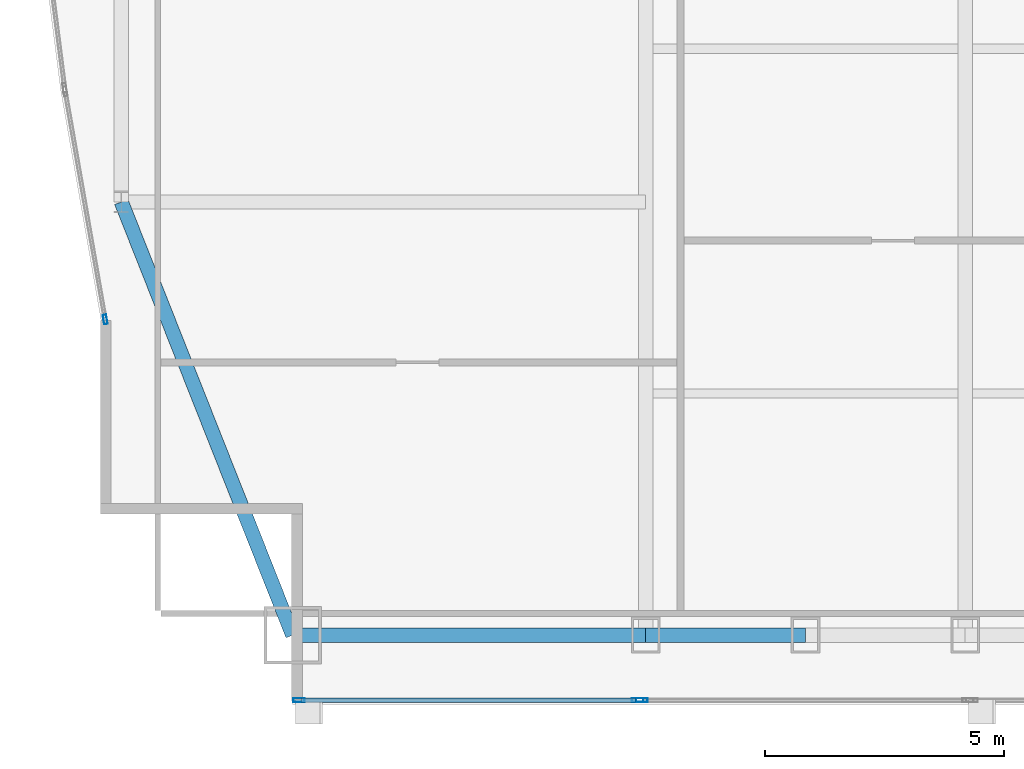
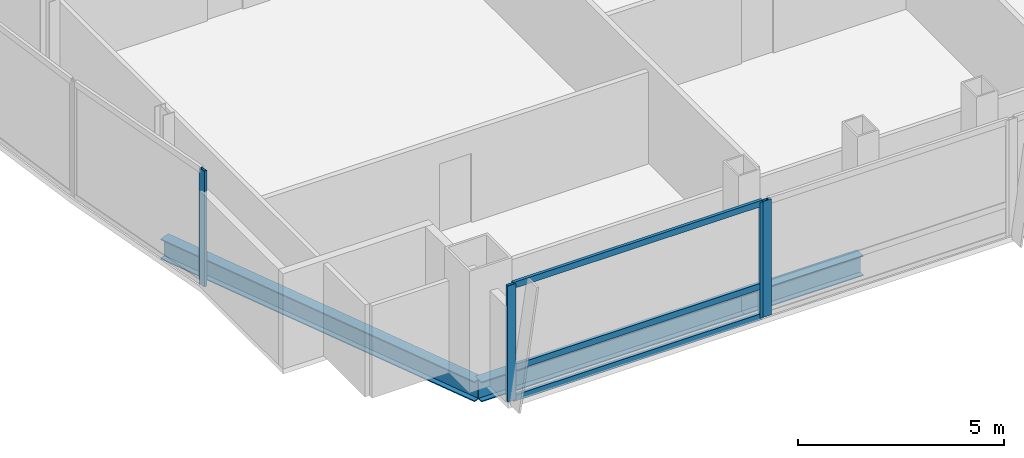
# One storey, part 5 of 30: 7 members, 3 beams, 3 elements without a shape of their own.
"""IFC4 building model written with IfcOpenShell, lengths in metres."""

import ifcopenshell
import ifcopenshell.guid

model = None  # the IFC model being written
_history = None  # IfcOwnerHistory: only IFC2X3 demands one
_inside = {}  # id of a spatial element -> (the spatial element, [elements in it])
_under = {}  # id of a project, library or spatial element -> (it, [spatial elements below it])
_declared = {}  # id of a project -> (the project, [libraries it declares])
_typed = {}  # id of a type object -> (the type object, [elements of that type])
_made_of = {}  # id of a material, layer set ... -> (it, [elements and type objects made of it])


def new_model(schema):
    """Start an empty IFC model of exactly this schema.

    Asked for "IFC4X3", IfcOpenShell would pick the latest addendum, in which some entities
    have other attributes; the version numbers below select the first issue.
    IFC2X3 requires an IfcOwnerHistory on every rooted entity: one is made here for all.
    """
    global model, _history
    if schema == "IFC4X3":
        model = ifcopenshell.file(schema_version=(4, 3, 0, 0))
    else:
        model = ifcopenshell.file(schema=schema)
    _inside.clear()
    _under.clear()
    _declared.clear()
    _typed.clear()
    _made_of.clear()
    _history = None
    if model.schema == "IFC2X3":
        org = make("IfcOrganization", Name="unknown")
        user = make(
            "IfcPersonAndOrganization",
            ThePerson=make("IfcPerson", FamilyName="unknown"),
            TheOrganization=org,
        )
        app = make(
            "IfcApplication",
            ApplicationDeveloper=org,
            Version="unknown",
            ApplicationFullName="unknown",
            ApplicationIdentifier="unknown",
        )
        _history = make(
            "IfcOwnerHistory",
            OwningUser=user,
            OwningApplication=app,
            ChangeAction="ADDED",
            CreationDate=0,
        )
    return model


def make(cls, **values):
    """One entity of the class cls with the attributes given. An attribute that is None is left unset."""
    return model.create_entity(
        cls, **{name: value for name, value in values.items() if value is not None}
    )


def rooted(cls, **values):
    """An entity with a GlobalId (a new one), such as an element, a storey or a relation."""
    return make(cls, GlobalId=ifcopenshell.guid.new(), OwnerHistory=_history, **values)


def si_unit(unit_type, name, prefix=None):
    """IfcSIUnit, for example si_unit("LENGTHUNIT", "METRE", prefix="MILLI")."""
    return make("IfcSIUnit", UnitType=unit_type, Prefix=prefix, Name=name)


def assignment(units):
    """IfcUnitAssignment: the units of a project."""
    return None if units is None else make("IfcUnitAssignment", Units=units)


def point(xyz):
    """IfcCartesianPoint."""
    return None if xyz is None else make("IfcCartesianPoint", Coordinates=xyz)


def direction(xyz):
    """IfcDirection."""
    return None if xyz is None else make("IfcDirection", DirectionRatios=xyz)


def frame(location, z_axis=None, x_axis=None):
    """IfcAxis2Placement3D, a coordinate frame: its origin and axes. An axis left out is left unset."""
    return make(
        "IfcAxis2Placement3D",
        Location=point(location),
        Axis=direction(z_axis),
        RefDirection=direction(x_axis),
    )


def frame_2d(location, x_axis=None):
    """IfcAxis2Placement2D, a coordinate frame in the plane: its origin and x axis."""
    return make(
        "IfcAxis2Placement2D", Location=point(location), RefDirection=direction(x_axis)
    )


def origin():
    """The frame at (0, 0, 0) with its axes left unset."""
    return frame((0.0, 0.0, 0.0))


def origin_2d():
    """The frame at (0, 0) in the plane with its x axis left unset."""
    return frame_2d((0.0, 0.0))


def place(relative_to, where):
    """IfcLocalPlacement: puts the frame where relative to a parent placement (None: the world)."""
    return make(
        "IfcLocalPlacement", PlacementRelTo=relative_to, RelativePlacement=where
    )


def context(
    kind, dimensions, precision=None, world=None, true_north=None, identifier=None
):
    """IfcGeometricRepresentationContext, for example the 3D "Model" context."""
    return make(
        "IfcGeometricRepresentationContext",
        ContextIdentifier=identifier,
        ContextType=kind,
        CoordinateSpaceDimension=dimensions,
        Precision=precision,
        WorldCoordinateSystem=world,
        TrueNorth=true_north,
    )


def subcontext(parent, identifier, kind, view, scale=None):
    """IfcGeometricRepresentationSubContext, for example "Body" below "Model"."""
    return make(
        "IfcGeometricRepresentationSubContext",
        ContextIdentifier=identifier,
        ContextType=kind,
        ParentContext=parent,
        TargetScale=scale,
        TargetView=view,
    )


def project(units=None, contexts=None):
    """IfcProject with its units and contexts."""
    return rooted(
        "IfcProject",
        Name="project",
        RepresentationContexts=contexts,
        UnitsInContext=assignment(units),
    )


def spatial(cls, under=None, at=None, **own):
    """A site, building, storey or space (cls), placed at a placement, below another one or the project."""
    s = rooted(cls, ObjectPlacement=at, **own)
    if under is not None:
        _under.setdefault(under.id(), (under, []))[1].append(s)
    return s


def profile(cls, at=None, kind="AREA", **sizes):
    """A parametric profile (cls). Its sizes go by their IFC names, for example OverallWidth=200.0."""
    return make(cls, ProfileType=kind, Position=at, **sizes)


def hollow_rectangle(**sizes):
    """IfcRectangleHollowProfileDef."""
    return profile("IfcRectangleHollowProfileDef", **sizes)


def i_section(**sizes):
    """IfcIShapeProfileDef."""
    return profile("IfcIShapeProfileDef", **sizes)


def extrude(swept, where, along, depth):
    """IfcExtrudedAreaSolid: the profile swept, set in the frame where, extruded along a direction by depth."""
    return make(
        "IfcExtrudedAreaSolid",
        SweptArea=swept,
        Position=where,
        ExtrudedDirection=direction(along),
        Depth=depth,
    )


def shape(context_of_items, identifier, shape_type, items):
    """IfcShapeRepresentation: the items that make up one representation, for example the "Body"."""
    return make(
        "IfcShapeRepresentation",
        ContextOfItems=context_of_items,
        RepresentationIdentifier=identifier,
        RepresentationType=shape_type,
        Items=items,
    )


def material(Name=None, Category=None):
    """IfcMaterial."""
    return make("IfcMaterial", Name=Name, Category=Category)


def material_profile(
    of_material, cross_section, Name=None, Category=None, Priority=None
):
    """IfcMaterialProfile: a cross section and its material."""
    return make(
        "IfcMaterialProfile",
        Name=Name,
        Material=of_material,
        Profile=cross_section,
        Priority=Priority,
        Category=Category,
    )


def profile_set(profiles, Name=None, composite=None):
    """IfcMaterialProfileSet."""
    return make(
        "IfcMaterialProfileSet",
        Name=Name,
        MaterialProfiles=profiles,
        CompositeProfile=composite,
    )


def made_of(thing, what):
    """Note that an element or type object is made of a material, layer set ...; save() writes the relation."""
    if what is not None:
        _made_of.setdefault(what.id(), (what, []))[1].append(thing)
    return thing


def type_object(cls, material=None, **own):
    """A type object (cls), such as IfcWallType, which elements share."""
    return made_of(rooted(cls, **own), material)


def element(
    cls,
    number,
    at=None,
    inside=None,
    cuts=None,
    type_object=None,
    material=None,
    context=None,
    identifier="Body",
    shape_type=None,
    held_by="IfcProductDefinitionShape",
    body=None,
    shapes=None,
    **own,
):
    """One element of the class cls, such as IfcWall. Its Tag is "e" and its number.

    at: its placement. inside: the storey or other place that contains it. cuts: it is an
    opening in that element (IfcRelVoidsElement). A single representation is given by context,
    identifier, shape_type and body (its items); several are given by shapes. held_by: the class
    of the entity that holds the representations. save() writes the other relations.
    """
    e = rooted(cls, Tag="e%d" % number, ObjectPlacement=at, **own)
    if body is not None:
        shapes = [shape(context, identifier, shape_type, body)]
    if shapes is not None:
        e.Representation = make(held_by, Representations=shapes)
    if inside is not None:
        _inside.setdefault(inside.id(), (inside, []))[1].append(e)
    if cuts is not None:
        rooted(
            "IfcRelVoidsElement", RelatingBuildingElement=cuts, RelatedOpeningElement=e
        )
    if type_object is not None:
        _typed.setdefault(type_object.id(), (type_object, []))[1].append(e)
    return made_of(e, material)


def aggregate(whole, parts):
    """IfcRelAggregates: a whole, such as a stair, and the parts it consists of."""
    return rooted("IfcRelAggregates", RelatingObject=whole, RelatedObjects=parts)


def save(model, path):
    """Write the relations noted so far, then the file.

    IfcRelAggregates (storeys below a building ...), IfcRelContainedInSpatialStructure (elements
    in a storey), IfcRelDefinesByType, IfcRelAssociatesMaterial and IfcRelDeclares: one each for
    every whole, place, type object, material and project.
    """
    for whole, parts in _under.values():
        aggregate(whole, parts)
    for where, things in _inside.values():
        rooted(
            "IfcRelContainedInSpatialStructure",
            RelatedElements=things,
            RelatingStructure=where,
        )
    for kind, things in _typed.values():
        rooted("IfcRelDefinesByType", RelatedObjects=things, RelatingType=kind)
    for what, things in _made_of.values():
        rooted("IfcRelAssociatesMaterial", RelatedObjects=things, RelatingMaterial=what)
    for by, libraries in _declared.values():
        rooted("IfcRelDeclares", RelatingContext=by, RelatedDefinitions=libraries)
    model.write(path)


model = new_model("IFC4")

# Units and contexts
model_context = context("Model", 3, precision=1e-05, world=origin(), true_north=direction((0.0, 1.0)))
body_context = subcontext(model_context, "Body", "Model", "MODEL_VIEW")
ifc_project = project(units=[si_unit("LENGTHUNIT", "METRE"), si_unit("AREAUNIT", "SQUARE_METRE"), si_unit("VOLUMEUNIT", "CUBIC_METRE"), si_unit("PLANEANGLEUNIT", "RADIAN"), si_unit("MASSUNIT", "GRAM", prefix="KILO")], contexts=[model_context])

# Site, building, storey
site_placement = place(None, origin())
site = spatial("IfcSite", under=ifc_project, at=site_placement, CompositionType="ELEMENT")
building_placement = place(site_placement, origin())
building = spatial("IfcBuilding", under=site, at=building_placement, Name="Khoronbel Lancet Exchange", CompositionType="ELEMENT")
storey_placement = place(building_placement, frame((0.0, 0.0, 203.0)))
storey = spatial("IfcBuildingStorey", under=building, at=storey_placement, Name="L51", CompositionType="ELEMENT", Elevation=203.0)

# Beams
ifc_material_1 = material(Name="Steel S355", Category="steel")
ifc_material_profile_1 = material_profile(ifc_material_1, i_section(OverallWidth=0.300048828125, OverallDepth=0.60009765625, WebThickness=0.015380859375, FlangeThickness=0.030029296875, at=origin_2d()), Name="HEB 600")
ifc_profile_set_1 = profile_set([ifc_material_profile_1], Name="Steel S355")
beam_type = type_object("IfcBeamType", Name="BM-BSP2", PredefinedType="SPANDREL", material=ifc_profile_set_1)
beam_1_placement = place(storey_placement, frame((10.85009765625, 10.14990234375, -0.4599609375), z_axis=(1.0, 0.0, 0.0), x_axis=(0.0, 1.0, 0.0)))
element("IfcBeam", 1, at=beam_1_placement, inside=storey, type_object=beam_type, Name="Level L51 perimeter spandrel beam SP01", PredefinedType="SPANDREL", context=body_context, shape_type="SweptSolid", body=[
    extrude(i_section(OverallWidth=0.300048828125, OverallDepth=0.60009765625, WebThickness=0.015380859375, FlangeThickness=0.030029296875, at=origin_2d()), origin(), (0.0, 0.0, 1.0), 7.375),
])
beam_2_placement = place(storey_placement, frame((18.22509765625, 10.14990234375, -0.4599609375), z_axis=(1.0, 0.0, 0.0), x_axis=(0.0, 1.0, 0.0)))
element("IfcBeam", 2, at=beam_2_placement, inside=storey, type_object=beam_type, Name="Level L51 perimeter spandrel beam SP02", PredefinedType="SPANDREL", context=body_context, shape_type="SweptSolid", body=[
    extrude(i_section(OverallWidth=0.300048828125, OverallDepth=0.60009765625, WebThickness=0.015380859375, FlangeThickness=0.030029296875, at=origin_2d()), origin(), (0.0, 0.0, 1.0), 3.33740234375),
])
beam_3_placement = place(storey_placement, frame((7.27001953125, 19.199951171875, -0.4599609375), z_axis=(0.367850095026, -0.92988510451, 0.0), x_axis=(0.92988510451, 0.367850095026, 0.0)))
element("IfcBeam", 3, at=beam_3_placement, inside=storey, type_object=beam_type, Name="Level L51 perimeter spandrel beam SP21", PredefinedType="SPANDREL", context=body_context, shape_type="SweptSolid", body=[
    extrude(i_section(OverallWidth=0.300048828125, OverallDepth=0.60009765625, WebThickness=0.015380859375, FlangeThickness=0.030029296875, at=origin_2d()), origin(), (0.0, 0.0, 1.0), 9.732421875),
])

# Curtain wall, members
ifc_material_2 = material(Name="Low-E Solar Control Insulating Glass", Category="glass")
curtain_wall_type_1 = type_object("IfcCurtainWallType", Name="CW-3", PredefinedType="NOTDEFINED", material=ifc_material_2)
curtain_wall_1_placement = place(storey_placement, origin())
curtain_wall_1 = element("IfcCurtainWall", 4, at=curtain_wall_1_placement, inside=storey, type_object=curtain_wall_type_1, Name="Unitised curtain wall CW-L51-SWV", PredefinedType="NOTDEFINED")
ifc_material_3 = material(Name="Bronze-Anodised Aluminium 6063-T6", Category="aluminium")
ifc_material_profile_2 = material_profile(ifc_material_3, hollow_rectangle(XDim=0.0849609375, YDim=0.239990234375, WallThickness=0.006103515625, at=origin_2d()), Name="ALU MULLION 85x240")
ifc_profile_set_2 = profile_set([ifc_material_profile_2], Name="Bronze-Anodised Aluminium 6063-T6")
member_type_1 = type_object("IfcMemberType", Name="MEM-CWM1", PredefinedType="MULLION", material=ifc_profile_set_2)
member_1_placement = place(storey_placement, frame((10.982421875, 8.7900390625, 0.0), z_axis=(0.0, 0.0, 1.0), x_axis=(0.0, 1.0, 0.0)))
member_1 = element("IfcMember", 5, at=member_1_placement, type_object=member_type_1, Name="CW3 mullion 1", PredefinedType="MULLION", context=body_context, shape_type="SweptSolid", body=[
    extrude(hollow_rectangle(XDim=0.0849609375, YDim=0.239990234375, WallThickness=0.006103515625, at=origin_2d()), origin(), (0.0, 0.0, 1.0), 3.43994140625),
])
member_2_placement = place(storey_placement, frame((18.0576171875, 8.7900390625, 0.0), z_axis=(0.0, 0.0, 1.0), x_axis=(0.0, 1.0, 0.0)))
member_2 = element("IfcMember", 6, at=member_2_placement, type_object=member_type_1, Name="CW3 mullion 2", PredefinedType="MULLION", context=body_context, shape_type="SweptSolid", body=[
    extrude(hollow_rectangle(XDim=0.0849609375, YDim=0.239990234375, WallThickness=0.006103515625, at=origin_2d()), origin(), (0.0, 0.0, 1.0), 3.43994140625),
])

# Curtain wall, member
curtain_wall_2_placement = place(storey_placement, origin())
curtain_wall_2 = element("IfcCurtainWall", 7, at=curtain_wall_2_placement, inside=storey, type_object=curtain_wall_type_1, Name="Unitised curtain wall CW-L51-SWB", PredefinedType="NOTDEFINED")
member_3_placement = place(storey_placement, frame((18.142578125, 8.7900390625, 0.0), z_axis=(0.0, 0.0, 1.0), x_axis=(0.0, 1.0, 0.0)))
member_3 = element("IfcMember", 8, at=member_3_placement, type_object=member_type_1, Name="CW3 mullion 1", PredefinedType="MULLION", context=body_context, shape_type="SweptSolid", body=[
    extrude(hollow_rectangle(XDim=0.0849609375, YDim=0.239990234375, WallThickness=0.006103515625, at=origin_2d()), origin(), (0.0, 0.0, 1.0), 3.43994140625),
])
aggregate(curtain_wall_2, [member_3])

curtain_wall_type_2 = type_object("IfcCurtainWallType", Name="CW-4", PredefinedType="NOTDEFINED", material=ifc_material_2)
curtain_wall_3_placement = place(storey_placement, origin())
curtain_wall_3 = element("IfcCurtainWall", 9, at=curtain_wall_3_placement, inside=storey, type_object=curtain_wall_type_2, Name="Unitised curtain wall CW-L51-E04", PredefinedType="NOTDEFINED")
ifc_material_profile_3 = material_profile(ifc_material_3, hollow_rectangle(XDim=0.074951171875, YDim=0.199951171875, WallThickness=0.0048828125, at=origin_2d()), Name="ALU MULLION 75x200")
ifc_profile_set_3 = profile_set([ifc_material_profile_3], Name="Bronze-Anodised Aluminium 6063-T6")
member_type_2 = type_object("IfcMemberType", Name="MEM-CWM2", PredefinedType="MULLION", material=ifc_profile_set_3)
member_4_placement = place(storey_placement, frame((6.93359375, 16.74462890625, 0.0), z_axis=(0.0, 0.0, 1.0), x_axis=(-0.984944805954, -0.172869110092, 0.0)))
member_4 = element("IfcMember", 10, at=member_4_placement, type_object=member_type_2, Name="CW4 mullion 1", PredefinedType="MULLION", context=body_context, shape_type="SweptSolid", body=[
    extrude(hollow_rectangle(XDim=0.074951171875, YDim=0.199951171875, WallThickness=0.0048828125, at=origin_2d()), origin(), (0.0, 0.0, 1.0), 3.43994140625),
])
aggregate(curtain_wall_3, [member_4])

# Member
ifc_material_profile_4 = material_profile(ifc_material_3, hollow_rectangle(XDim=0.0849609375, YDim=0.179931640625, WallThickness=0.0048828125, at=origin_2d()), Name="ALU TRANSOM 85x180")
ifc_profile_set_4 = profile_set([ifc_material_profile_4], Name="Bronze-Anodised Aluminium 6063-T6")
member_type_3 = type_object("IfcMemberType", Name="MEM-CWT1", PredefinedType="USERDEFINED", material=ifc_profile_set_4)
member_5_placement = place(storey_placement, frame((11.02490234375, 8.7900390625, 0.04248046875), z_axis=(1.0, 0.0, 0.0), x_axis=(0.0, 1.0, 0.0)))
member_5 = element("IfcMember", 11, at=member_5_placement, type_object=member_type_3, Name="CW3 transom 1.1", ObjectType="TRANSOM", PredefinedType="USERDEFINED", context=body_context, shape_type="SweptSolid", body=[
    extrude(hollow_rectangle(XDim=0.0849609375, YDim=0.179931640625, WallThickness=0.0048828125, at=origin_2d()), origin(), (0.0, 0.0, 1.0), 6.989990234375),
])

member_6_placement = place(storey_placement, frame((11.02490234375, 8.7900390625, 0.949951171875), z_axis=(1.0, 0.0, 0.0), x_axis=(0.0, 1.0, 0.0)))
member_6 = element("IfcMember", 12, at=member_6_placement, type_object=member_type_3, Name="CW3 transom 1.2", ObjectType="TRANSOM", PredefinedType="USERDEFINED", context=body_context, shape_type="SweptSolid", body=[
    extrude(hollow_rectangle(XDim=0.0849609375, YDim=0.179931640625, WallThickness=0.0048828125, at=origin_2d()), origin(), (0.0, 0.0, 1.0), 6.989990234375),
])

member_7_placement = place(storey_placement, frame((11.02490234375, 8.7900390625, 3.3974609375), z_axis=(1.0, 0.0, 0.0), x_axis=(0.0, 1.0, 0.0)))
member_7 = element("IfcMember", 13, at=member_7_placement, type_object=member_type_3, Name="CW3 transom 1.3", ObjectType="TRANSOM", PredefinedType="USERDEFINED", context=body_context, shape_type="SweptSolid", body=[
    extrude(hollow_rectangle(XDim=0.0849609375, YDim=0.179931640625, WallThickness=0.0048828125, at=origin_2d()), origin(), (0.0, 0.0, 1.0), 6.989990234375),
])

aggregate(curtain_wall_1, [member_1, member_2, member_5, member_6, member_7])

save(model, "model.ifc")
